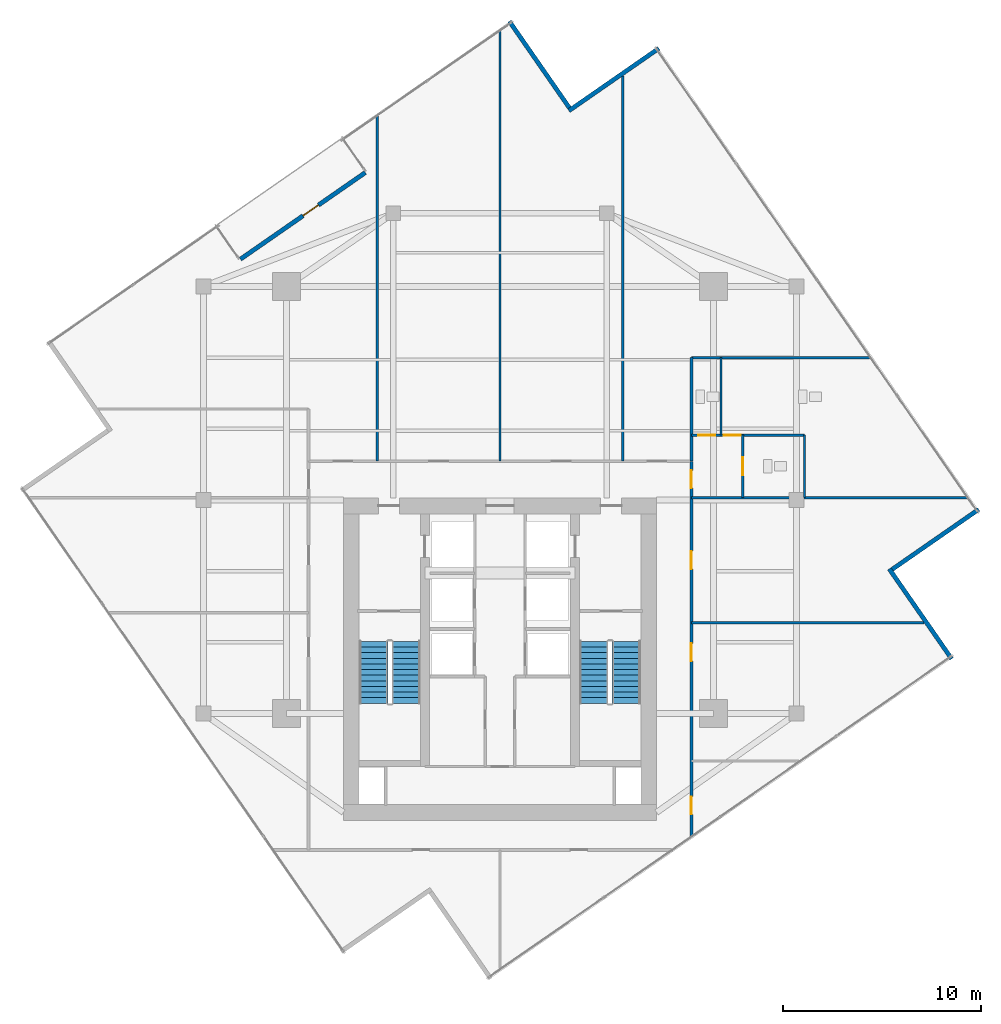
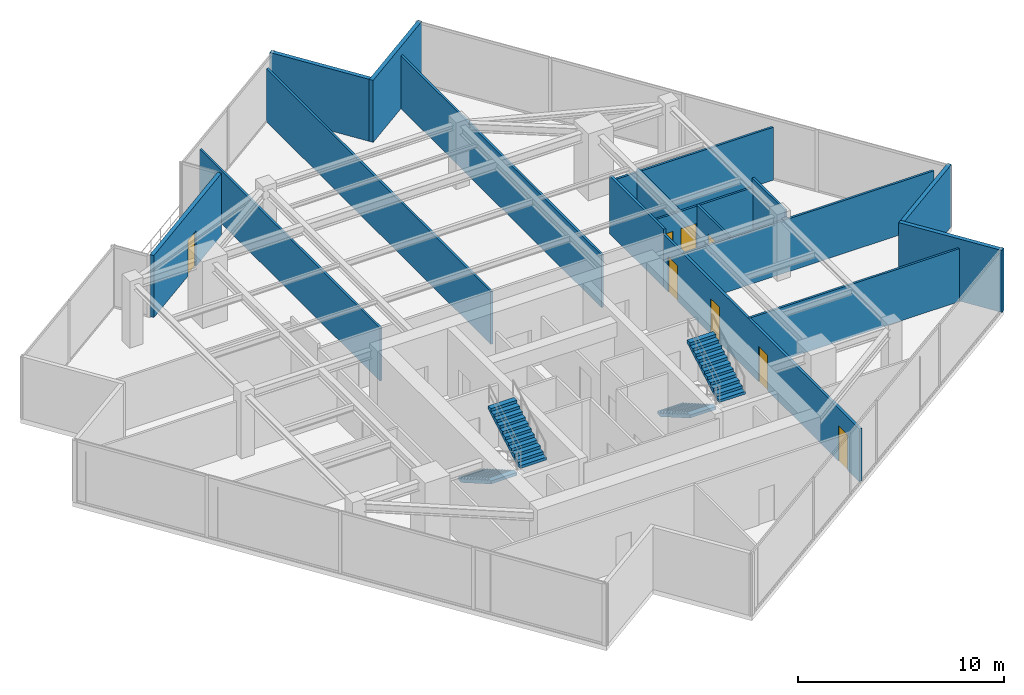
# One storey, part 19 of 21: 17 walls, 8 doors, 4 stair flights, 8 openings, 2 elements without a shape of their own.
"""IFC4 building model written with IfcOpenShell, lengths in metres."""

from ifc_helpers import new_model, si_unit, direction, frame, frame_2d, origin, place, context, subcontext, project, spatial, polyline, rectangle, outline, extrude, material, layer, layer_set, type_object, element, fill, aggregate, save


model = new_model("IFC4")

# Units and contexts
model_context = context("Model", 3, precision=1e-05, world=origin(), true_north=direction((0.0, 1.0)))
body_context = subcontext(model_context, "Body", "Model", "MODEL_VIEW")
ifc_project = project(units=[si_unit("LENGTHUNIT", "METRE"), si_unit("AREAUNIT", "SQUARE_METRE"), si_unit("VOLUMEUNIT", "CUBIC_METRE"), si_unit("PLANEANGLEUNIT", "RADIAN"), si_unit("MASSUNIT", "GRAM", prefix="KILO")], contexts=[model_context])

# Site, building, storey
site_placement = place(None, origin())
site = spatial("IfcSite", under=ifc_project, at=site_placement, CompositionType="ELEMENT")
building_placement = place(site_placement, origin())
building = spatial("IfcBuilding", under=site, at=building_placement, Name="Krantzveldt Concourse Tower", CompositionType="ELEMENT")
storey_placement = place(building_placement, frame((0.0, 0.0, 275.300048828125)))
storey = spatial("IfcBuildingStorey", under=building, at=storey_placement, Name="L67", CompositionType="ELEMENT", Elevation=275.300048828125)

# Wall
ifc_material_1 = material(Name="Anodised aluminium 6063-T6", Category="aluminium")
ifc_layer_1 = layer(ifc_material_1, 0.219970703125, Name="Anodised aluminium 6063-T6", Category="aluminium")
ifc_layer_set_1 = layer_set([ifc_layer_1], Name="Anodised aluminium 6063-T6 (WL-EXT-NOTCH220)")
wall_type_1 = type_object("IfcWallType", Name="WL-EXT-NOTCH220", PredefinedType="ELEMENTEDWALL", material=ifc_layer_set_1)
wall_1_placement = place(storey_placement, frame((39.50830078125, 46.537841796875, 0.0), z_axis=(0.0, 0.0, 1.0), x_axis=(-0.570020283612, 0.821630620334, 0.0)))
element("IfcWall", 1, at=wall_1_placement, inside=storey, type_object=wall_type_1, Name="EW-L67-NCH00", PredefinedType="ELEMENTEDWALL", context=body_context, shape_type="SweptSolid", body=[
    extrude(rectangle(XDim=5.3251953125, YDim=0.219970703125, at=frame_2d((2.66259765625, 0.0))), origin(), (0.0, 0.0, 1.0), 3.669921875),
])

# Wall, opening, door
wall_2_placement = place(storey_placement, frame((22.87158203125, 38.87890625, 0.0), z_axis=(0.0, 0.0, 1.0), x_axis=(0.821640913491, 0.570005446709, 0.0)))
wall_2 = element("IfcWall", 2, at=wall_2_placement, inside=storey, type_object=wall_type_1, Name="EW-L67-TSLOT", PredefinedType="ELEMENTEDWALL", context=body_context, shape_type="SweptSolid", body=[
    extrude(rectangle(XDim=7.68994140625, YDim=0.219970703125, at=frame_2d((3.844970703125, 0.0))), origin(), (0.0, 0.0, 1.0), 3.669921875),
])
opening_1_placement = place(wall_2_placement, frame((3.856689453125, 0.0, 0.0)))
opening_1 = element("IfcOpeningElement", 3, at=opening_1_placement, cuts=wall_2, Name="Opening D-EX95", PredefinedType="OPENING", context=body_context, shape_type="SweptSolid", body=[
    extrude(rectangle(XDim=0.949951171875, YDim=2.10009765625, at=frame_2d((0.47509765625, 1.050048828125))), frame((0.0, 0.1201171875, 0.0), z_axis=(0.0, -1.0, 0.0), x_axis=(1.0, 0.0, 0.0)), (0.0, 0.0, 1.0), 0.239990234375),
])
door_type_1 = type_object("IfcDoorType", Name="DR-EXT-950", OperationType="SINGLE_SWING_LEFT", PredefinedType="DOOR", material=ifc_material_1)
door_1_placement = place(opening_1_placement, origin())
door_1 = element("IfcDoor", 4, at=door_1_placement, inside=storey, type_object=door_type_1, Name="DR-L67-TERR", OperationType="SINGLE_SWING_LEFT", OverallHeight=2.10009765625, OverallWidth=0.949951171875, PredefinedType="DOOR", context=body_context, shape_type="SweptSolid", body=[
    extrude(rectangle(XDim=0.949951171875, YDim=2.10009765625, at=frame_2d((0.47509765625, 1.050048828125))), frame((0.0, 0.02490234375, 0.0), z_axis=(0.0, -1.0, 0.0), x_axis=(1.0, 0.0, 0.0)), (0.0, 0.0, 1.0), 0.050048828125),
])
fill(opening_1, door_1)

# Walls
wall_3_placement = place(storey_placement, frame((58.845458984375, 18.663330078125, 0.0), z_axis=(0.0, 0.0, 1.0), x_axis=(-0.569988141022, 0.821652918874, 0.0)))
element("IfcWall", 5, at=wall_3_placement, inside=storey, type_object=wall_type_1, Name="EW-L67-NCH12", PredefinedType="ELEMENTEDWALL", context=body_context, shape_type="SweptSolid", body=[
    extrude(rectangle(XDim=5.545166015625, YDim=0.219970703125, at=frame_2d((2.7724609375, 0.0))), origin(), (0.0, 0.0, 1.0), 3.669921875),
])
wall_4_placement = place(storey_placement, frame((55.837890625, 23.19189453125, 0.0), z_axis=(0.0, 0.0, 1.0), x_axis=(0.821652092748, 0.569989331903, 0.0)))
element("IfcWall", 6, at=wall_4_placement, inside=storey, type_object=wall_type_1, Name="EW-L67-NCH13", PredefinedType="ELEMENTEDWALL", context=body_context, shape_type="SweptSolid", body=[
    extrude(rectangle(XDim=5.324951171875, YDim=0.219970703125, at=frame_2d((2.66259765625, 0.0))), origin(), (0.0, 0.0, 1.0), 3.669921875),
])
wall_5_placement = place(storey_placement, frame((44.03662109375, 49.54541015625, 0.0), z_axis=(0.0, 0.0, 1.0), x_axis=(-0.821652918874, -0.569988141022, 0.0)))
element("IfcWall", 7, at=wall_5_placement, inside=storey, type_object=wall_type_1, Name="EW-L67-NCH15", PredefinedType="ELEMENTEDWALL", context=body_context, shape_type="SweptSolid", body=[
    extrude(rectangle(XDim=5.545166015625, YDim=0.219970703125, at=frame_2d((2.7724609375, 0.0))), origin(), (0.0, 0.0, 1.0), 3.669921875),
])
ifc_material_2 = material(Name="Fire-rated gypsum plasterboard on steel stud", Category="steel")
ifc_layer_2 = layer(ifc_material_2, 0.1201171875, Name="Fire-rated gypsum plasterboard on steel stud", Category="steel")
ifc_layer_set_2 = layer_set([ifc_layer_2], Name="Fire-rated gypsum plasterboard on steel stud (WL-PART-120)")
wall_type_2 = type_object("IfcWallType", Name="WL-PART-120", PredefinedType="PARTITIONING", material=ifc_layer_set_2)
wall_6_placement = place(storey_placement, frame((45.679931640625, 26.820068359375, 0.0), z_axis=(0.0, 0.0, 1.0), x_axis=(1.0, 0.0, 0.0)))
element("IfcWall", 8, at=wall_6_placement, inside=storey, type_object=wall_type_2, Name="WP-L67-WCBS", PredefinedType="PARTITIONING", context=body_context, shape_type="SweptSolid", body=[
    extrude(rectangle(XDim=13.981689453125, YDim=0.1201171875, at=frame_2d((6.99072265625, 0.0))), origin(), (0.0, 0.0, 1.0), 3.1298828125),
])
wall_7_placement = place(storey_placement, frame((45.679931640625, 33.89990234375, 0.0), z_axis=(0.0, 0.0, 1.0), x_axis=(1.0, 0.0, 0.0)))
element("IfcWall", 9, at=wall_7_placement, inside=storey, type_object=wall_type_2, Name="WP-L67-WCBN", PredefinedType="PARTITIONING", context=body_context, shape_type="SweptSolid", body=[
    extrude(rectangle(XDim=9.0703125, YDim=0.1201171875, at=frame_2d((4.53515625, 0.0))), origin(), (0.0, 0.0, 1.0), 3.1298828125),
])

# Wall, openings, doors
wall_8_placement = place(storey_placement, frame((45.679931640625, 29.97998046875, 0.0), z_axis=(0.0, 0.0, 1.0), x_axis=(1.0, 0.0, 0.0)))
wall_8 = element("IfcWall", 10, at=wall_8_placement, inside=storey, type_object=wall_type_2, Name="WP-L67-WCMH", PredefinedType="PARTITIONING", context=body_context, shape_type="SweptSolid", body=[
    extrude(rectangle(XDim=5.719970703125, YDim=0.1201171875, at=frame_2d((2.85986328125, 0.0))), origin(), (0.0, 0.0, 1.0), 3.1298828125),
])
opening_2_placement = place(wall_8_placement, frame((1.64501953125, 0.0, 0.0)))
opening_2 = element("IfcOpeningElement", 11, at=opening_2_placement, cuts=wall_8, Name="Opening D-IN085", PredefinedType="OPENING", context=body_context, shape_type="SweptSolid", body=[
    extrude(rectangle(XDim=0.85009765625, YDim=2.10009765625, at=frame_2d((0.425048828125, 1.050048828125))), frame((0.0, 0.070068359375, 0.0), z_axis=(0.0, -1.0, 0.0), x_axis=(1.0, 0.0, 0.0)), (0.0, 0.0, 1.0), 0.14013671875),
])
opening_3_placement = place(wall_8_placement, frame((0.344970703125, 0.0, 0.0)))
opening_3 = element("IfcOpeningElement", 12, at=opening_3_placement, cuts=wall_8, Name="Opening D-IN085", PredefinedType="OPENING", context=body_context, shape_type="SweptSolid", body=[
    extrude(rectangle(XDim=0.85009765625, YDim=2.10009765625, at=frame_2d((0.425048828125, 1.050048828125))), frame((0.0, 0.070068359375, 0.0), z_axis=(0.0, -1.0, 0.0), x_axis=(1.0, 0.0, 0.0)), (0.0, 0.0, 1.0), 0.14013671875),
])
ifc_material_3 = material(Name="Hardwood timber", Category="wood")
door_type_2 = type_object("IfcDoorType", Name="DR-INT-850", OperationType="SINGLE_SWING_LEFT", PredefinedType="DOOR", material=ifc_material_3)
door_2_placement = place(opening_2_placement, origin())
door_2 = element("IfcDoor", 13, at=door_2_placement, inside=storey, type_object=door_type_2, Name="DR-L67-WCM", OperationType="SINGLE_SWING_RIGHT", OverallHeight=2.10009765625, OverallWidth=0.85009765625, PredefinedType="DOOR", context=body_context, shape_type="SweptSolid", body=[
    extrude(rectangle(XDim=0.85009765625, YDim=2.10009765625, at=frame_2d((0.425048828125, 1.050048828125))), frame((0.0, 0.02490234375, 0.0), z_axis=(0.0, -1.0, 0.0), x_axis=(1.0, 0.0, 0.0)), (0.0, 0.0, 1.0), 0.050048828125),
])
fill(opening_2, door_2)
door_3_placement = place(opening_3_placement, origin())
door_3 = element("IfcDoor", 14, at=door_3_placement, inside=storey, type_object=door_type_2, Name="DR-L67-WCF", OperationType="SINGLE_SWING_LEFT", OverallHeight=2.10009765625, OverallWidth=0.85009765625, PredefinedType="DOOR", context=body_context, shape_type="SweptSolid", body=[
    extrude(rectangle(XDim=0.85009765625, YDim=2.10009765625, at=frame_2d((0.425048828125, 1.050048828125))), frame((0.0, 0.02490234375, 0.0), z_axis=(0.0, -1.0, 0.0), x_axis=(1.0, 0.0, 0.0)), (0.0, 0.0, 1.0), 0.050048828125),
])
fill(opening_3, door_3)

# Wall
wall_9_placement = place(storey_placement, frame((51.39990234375, 26.820068359375, 0.0), z_axis=(0.0, 0.0, 1.0), x_axis=(0.0, 1.0, 0.0)))
element("IfcWall", 15, at=wall_9_placement, inside=storey, type_object=wall_type_2, Name="WP-L67-WCAR", PredefinedType="PARTITIONING", context=body_context, shape_type="SweptSolid", body=[
    extrude(rectangle(XDim=3.159912109375, YDim=0.1201171875, at=frame_2d((1.580078125, 0.0))), origin(), (0.0, 0.0, 1.0), 3.669921875),
])

# Wall, opening, door
wall_10_placement = place(storey_placement, frame((48.280029296875, 26.820068359375, 0.0), z_axis=(0.0, 0.0, 1.0), x_axis=(0.0, 1.0, 0.0)))
wall_10 = element("IfcWall", 16, at=wall_10_placement, inside=storey, type_object=wall_type_2, Name="WP-L67-WCAV", PredefinedType="PARTITIONING", context=body_context, shape_type="SweptSolid", body=[
    extrude(rectangle(XDim=3.159912109375, YDim=0.1201171875, at=frame_2d((1.580078125, 0.0))), origin(), (0.0, 0.0, 1.0), 3.179931640625),
])
opening_4_placement = place(wall_10_placement, frame((1.1298828125, 0.0, 0.0)))
opening_4 = element("IfcOpeningElement", 17, at=opening_4_placement, cuts=wall_10, Name="Opening D-IN090", PredefinedType="OPENING", context=body_context, shape_type="SweptSolid", body=[
    extrude(rectangle(XDim=0.89990234375, YDim=2.10009765625, at=frame_2d((0.449951171875, 1.050048828125))), frame((0.0, 0.070068359375, 0.0), z_axis=(0.0, -1.0, 0.0), x_axis=(1.0, 0.0, 0.0)), (0.0, 0.0, 1.0), 0.14013671875),
])
door_type_3 = type_object("IfcDoorType", Name="DR-INT-900", OperationType="SINGLE_SWING_LEFT", PredefinedType="DOOR", material=ifc_material_3)
door_4_placement = place(opening_4_placement, origin())
door_4 = element("IfcDoor", 18, at=door_4_placement, inside=storey, type_object=door_type_3, Name="DR-L67-WCA", OperationType="SINGLE_SWING_RIGHT", OverallHeight=2.10009765625, OverallWidth=0.89990234375, PredefinedType="DOOR", context=body_context, shape_type="SweptSolid", body=[
    extrude(rectangle(XDim=0.89990234375, YDim=2.10009765625, at=frame_2d((0.449951171875, 1.050048828125))), frame((0.0, 0.02490234375, 0.0), z_axis=(0.0, -1.0, 0.0), x_axis=(1.0, 0.0, 0.0)), (0.0, 0.0, 1.0), 0.050048828125),
])
fill(opening_4, door_4)

# Walls
wall_11_placement = place(storey_placement, frame((47.179931640625, 29.97998046875, 0.0), z_axis=(0.0, 0.0, 1.0), x_axis=(0.0, 1.0, 0.0)))
element("IfcWall", 19, at=wall_11_placement, inside=storey, type_object=wall_type_2, Name="WP-L67-WCFD", PredefinedType="PARTITIONING", context=body_context, shape_type="SweptSolid", body=[
    extrude(rectangle(XDim=3.919921875, YDim=0.1201171875, at=frame_2d((1.9599609375, 0.0))), origin(), (0.0, 0.0, 1.0), 3.31005859375),
])
wall_12_placement = place(storey_placement, frame((29.800048828125, 28.659912109375, 0.0), z_axis=(0.0, 0.0, 1.0), x_axis=(0.0, 1.0, 0.0)))
element("IfcWall", 20, at=wall_12_placement, inside=storey, type_object=wall_type_2, Name="WP-L67-ND1", PredefinedType="PARTITIONING", context=body_context, shape_type="SweptSolid", body=[
    extrude(rectangle(XDim=17.48388671875, YDim=0.1201171875, at=frame_2d((8.741943359375, 0.0))), origin(), (0.0, 0.0, 1.0), 3.1298828125),
])
wall_13_placement = place(storey_placement, frame((36.0, 28.659912109375, 0.0), z_axis=(0.0, 0.0, 1.0), x_axis=(0.0, 1.0, 0.0)))
element("IfcWall", 21, at=wall_13_placement, inside=storey, type_object=wall_type_2, Name="WP-L67-ND2", PredefinedType="PARTITIONING", context=body_context, shape_type="SweptSolid", body=[
    extrude(rectangle(XDim=21.78515625, YDim=0.1201171875, at=frame_2d((10.892578125, 0.0))), origin(), (0.0, 0.0, 1.0), 3.1298828125),
])
wall_14_placement = place(storey_placement, frame((42.199951171875, 28.659912109375, 0.0), z_axis=(0.0, 0.0, 1.0), x_axis=(0.0, 1.0, 0.0)))
element("IfcWall", 22, at=wall_14_placement, inside=storey, type_object=wall_type_2, Name="WP-L67-ND3", PredefinedType="PARTITIONING", context=body_context, shape_type="SweptSolid", body=[
    extrude(rectangle(XDim=19.471435546875, YDim=0.1201171875, at=frame_2d((9.73583984375, 0.0))), origin(), (0.0, 0.0, 1.0), 3.1298828125),
])
wall_15_placement = place(storey_placement, frame((45.679931640625, 20.5, 0.0), z_axis=(0.0, 0.0, 1.0), x_axis=(1.0, 0.0, 0.0)))
element("IfcWall", 23, at=wall_15_placement, inside=storey, type_object=wall_type_2, Name="WP-L67-ED2", PredefinedType="PARTITIONING", context=body_context, shape_type="SweptSolid", body=[
    extrude(rectangle(XDim=11.75146484375, YDim=0.1201171875, at=frame_2d((5.875732421875, 0.0))), origin(), (0.0, 0.0, 1.0), 3.1298828125),
])

# Wall, openings, doors
ifc_layer_3 = layer(ifc_material_2, 0.139892578125, Name="Fire-rated gypsum plasterboard on steel stud", Category="steel")
ifc_layer_set_3 = layer_set([ifc_layer_3], Name="Fire-rated gypsum plasterboard on steel stud (WL-PART-140)")
wall_type_3 = type_object("IfcWallType", Name="WL-PART-140", PredefinedType="PARTITIONING", material=ifc_layer_set_3)
wall_16_placement = place(storey_placement, frame((45.679931640625, 9.67041015625, 0.0), z_axis=(0.0, 0.0, 1.0), x_axis=(0.0, 1.0, 0.0)))
wall_16 = element("IfcWall", 24, at=wall_16_placement, inside=storey, type_object=wall_type_3, Name="WP-L67-CEAST", PredefinedType="PARTITIONING", context=body_context, shape_type="SweptSolid", body=[
    extrude(rectangle(XDim=18.989501953125, YDim=0.139892578125, at=frame_2d((9.49462890625, 0.0))), origin(), (0.0, 0.0, 1.0), 3.1298828125),
])
opening_5_placement = place(wall_16_placement, frame((17.629638671875, 0.0, 0.0)))
opening_5 = element("IfcOpeningElement", 25, at=opening_5_placement, cuts=wall_16, Name="Opening D-IN090", PredefinedType="OPENING", context=body_context, shape_type="SweptSolid", body=[
    extrude(rectangle(XDim=0.89990234375, YDim=2.10009765625, at=frame_2d((0.449951171875, 1.050048828125))), frame((0.0, 0.080078125, 0.0), z_axis=(0.0, -1.0, 0.0), x_axis=(1.0, 0.0, 0.0)), (0.0, 0.0, 1.0), 0.159912109375),
])
opening_6_placement = place(wall_16_placement, frame((1.129638671875, 0.0, 0.0)))
opening_6 = element("IfcOpeningElement", 26, at=opening_6_placement, cuts=wall_16, Name="Opening D-IN090", PredefinedType="OPENING", context=body_context, shape_type="SweptSolid", body=[
    extrude(rectangle(XDim=0.89990234375, YDim=2.10009765625, at=frame_2d((0.449951171875, 1.050048828125))), frame((0.0, 0.080078125, 0.0), z_axis=(0.0, -1.0, 0.0), x_axis=(1.0, 0.0, 0.0)), (0.0, 0.0, 1.0), 0.159912109375),
])
opening_7_placement = place(wall_16_placement, frame((8.879638671875, 0.0, 0.0)))
opening_7 = element("IfcOpeningElement", 27, at=opening_7_placement, cuts=wall_16, Name="Opening D-IN090", PredefinedType="OPENING", context=body_context, shape_type="SweptSolid", body=[
    extrude(rectangle(XDim=0.89990234375, YDim=2.10009765625, at=frame_2d((0.449951171875, 1.050048828125))), frame((0.0, 0.080078125, 0.0), z_axis=(0.0, -1.0, 0.0), x_axis=(1.0, 0.0, 0.0)), (0.0, 0.0, 1.0), 0.159912109375),
])
opening_8_placement = place(wall_16_placement, frame((13.539794921875, 0.0, 0.0)))
opening_8 = element("IfcOpeningElement", 28, at=opening_8_placement, cuts=wall_16, Name="Opening D-IN090", PredefinedType="OPENING", context=body_context, shape_type="SweptSolid", body=[
    extrude(rectangle(XDim=0.89990234375, YDim=2.10009765625, at=frame_2d((0.449951171875, 1.050048828125))), frame((0.0, 0.080078125, 0.0), z_axis=(0.0, -1.0, 0.0), x_axis=(1.0, 0.0, 0.0)), (0.0, 0.0, 1.0), 0.159912109375),
])
door_5_placement = place(opening_5_placement, origin())
door_5 = element("IfcDoor", 29, at=door_5_placement, inside=storey, type_object=door_type_3, Name="DR-L67-WCV", OperationType="SINGLE_SWING_RIGHT", OverallHeight=2.10009765625, OverallWidth=0.89990234375, PredefinedType="DOOR", context=body_context, shape_type="SweptSolid", body=[
    extrude(rectangle(XDim=0.89990234375, YDim=2.10009765625, at=frame_2d((0.449951171875, 1.050048828125))), frame((0.0, 0.02490234375, 0.0), z_axis=(0.0, -1.0, 0.0), x_axis=(1.0, 0.0, 0.0)), (0.0, 0.0, 1.0), 0.050048828125),
])
fill(opening_5, door_5)
door_6_placement = place(opening_6_placement, origin())
door_6 = element("IfcDoor", 30, at=door_6_placement, inside=storey, type_object=door_type_3, Name="DR-L67-ER1", OperationType="SINGLE_SWING_LEFT", OverallHeight=2.10009765625, OverallWidth=0.89990234375, PredefinedType="DOOR", context=body_context, shape_type="SweptSolid", body=[
    extrude(rectangle(XDim=0.89990234375, YDim=2.10009765625, at=frame_2d((0.449951171875, 1.050048828125))), frame((0.0, 0.02490234375, 0.0), z_axis=(0.0, -1.0, 0.0), x_axis=(1.0, 0.0, 0.0)), (0.0, 0.0, 1.0), 0.050048828125),
])
fill(opening_6, door_6)
door_7_placement = place(opening_7_placement, origin())
door_7 = element("IfcDoor", 31, at=door_7_placement, inside=storey, type_object=door_type_3, Name="DR-L67-ER2", OperationType="SINGLE_SWING_LEFT", OverallHeight=2.10009765625, OverallWidth=0.89990234375, PredefinedType="DOOR", context=body_context, shape_type="SweptSolid", body=[
    extrude(rectangle(XDim=0.89990234375, YDim=2.10009765625, at=frame_2d((0.449951171875, 1.050048828125))), frame((0.0, 0.02490234375, 0.0), z_axis=(0.0, -1.0, 0.0), x_axis=(1.0, 0.0, 0.0)), (0.0, 0.0, 1.0), 0.050048828125),
])
fill(opening_7, door_7)
door_8_placement = place(opening_8_placement, origin())
door_8 = element("IfcDoor", 32, at=door_8_placement, inside=storey, type_object=door_type_3, Name="DR-L67-ER3", OperationType="SINGLE_SWING_LEFT", OverallHeight=2.10009765625, OverallWidth=0.89990234375, PredefinedType="DOOR", context=body_context, shape_type="SweptSolid", body=[
    extrude(rectangle(XDim=0.89990234375, YDim=2.10009765625, at=frame_2d((0.449951171875, 1.050048828125))), frame((0.0, 0.02490234375, 0.0), z_axis=(0.0, -1.0, 0.0), x_axis=(1.0, 0.0, 0.0)), (0.0, 0.0, 1.0), 0.050048828125),
])
fill(opening_8, door_8)

# Wall
wall_17_placement = place(storey_placement, frame((45.679931640625, 28.659912109375, 0.0), z_axis=(0.0, 0.0, 1.0), x_axis=(0.0, 1.0, 0.0)))
element("IfcWall", 33, at=wall_17_placement, inside=storey, type_object=wall_type_3, Name="WP-L67-NER", PredefinedType="PARTITIONING", context=body_context, shape_type="SweptSolid", body=[
    extrude(rectangle(XDim=5.239990234375, YDim=0.139892578125, at=frame_2d((2.6201171875, 0.0))), origin(), (0.0, 0.0, 1.0), 3.429931640625),
])

# Stair, stair flights
ifc_material_4 = material(Name="Precast concrete C40/50", Category="concrete")
stair_type = type_object("IfcStairType", Name="STR-CORE-DOGLEG", PredefinedType="HALF_TURN_STAIR", material=ifc_material_4)
stair_1_placement = place(storey_placement, origin())
stair_1 = element("IfcStair", 34, at=stair_1_placement, inside=storey, type_object=stair_type, Name="L67 Protected Escape Stair ST-1", PredefinedType="HALF_TURN_STAIR")
stair_flight_type = type_object("IfcStairFlightType", Name="STF-CORE-1450", PredefinedType="STRAIGHT", material=ifc_material_4)
stair_flight_1_placement = place(storey_placement, frame((29.60498046875, 19.550048828125, 0.0), z_axis=(0.0, 0.0, 1.0), x_axis=(0.0, -1.0, 0.0)))
stair_flight_1 = element("IfcStairFlight", 35, at=stair_flight_1_placement, type_object=stair_flight_type, Name="ST-1 flight 1", NumberOfRisers=12, NumberOfTreads=11, PredefinedType="STRAIGHT", RiserHeight=0.164583333, TreadLength=0.285, context=body_context, shape_type="SweptSolid", body=[
    extrude(outline(polyline([(0.0, 0.0), (0.0, 0.16455078125), (0.284912109375, 0.16455078125), (0.284912109375, 0.3291015625), (0.570068359375, 0.3291015625), (0.570068359375, 0.49365234375), (0.85498046875, 0.49365234375), (0.85498046875, 0.658447265625), (1.139892578125, 0.658447265625), (1.139892578125, 0.822998046875), (1.425048828125, 0.822998046875), (1.425048828125, 0.987548828125), (1.7099609375, 0.987548828125), (1.7099609375, 1.152099609375), (1.9951171875, 1.152099609375), (1.9951171875, 1.316650390625), (2.280029296875, 1.316650390625), (2.280029296875, 1.481201171875), (2.56494140625, 1.481201171875), (2.56494140625, 1.645751953125), (2.85009765625, 1.645751953125), (2.85009765625, 1.810302734375), (3.135009765625, 1.810302734375), (3.135009765625, 1.97509765625), (3.135009765625, 1.63720703125), (0.2998046875, 0.0), (0.0, 0.0)])), frame((0.0, 0.72509765625, 0.0), z_axis=(0.0, -1.0, 0.0), x_axis=(1.0, 0.0, 0.0)), (0.0, 0.0, 1.0), 1.449951171875),
])
stair_flight_2_placement = place(storey_placement, frame((31.2548828125, 16.4150390625, 1.974853515625), z_axis=(0.0, 0.0, 1.0), x_axis=(0.0, 1.0, 0.0)))
stair_flight_2 = element("IfcStairFlight", 36, at=stair_flight_2_placement, type_object=stair_flight_type, Name="ST-1 flight 2", NumberOfRisers=12, NumberOfTreads=11, PredefinedType="STRAIGHT", RiserHeight=0.164583333, TreadLength=0.285, context=body_context, shape_type="SweptSolid", body=[
    extrude(outline(polyline([(0.0, 0.0), (0.0, 0.16455078125), (0.284912109375, 0.16455078125), (0.284912109375, 0.3291015625), (0.570068359375, 0.3291015625), (0.570068359375, 0.49365234375), (0.85498046875, 0.49365234375), (0.85498046875, 0.658447265625), (1.139892578125, 0.658447265625), (1.139892578125, 0.822998046875), (1.425048828125, 0.822998046875), (1.425048828125, 0.987548828125), (1.7099609375, 0.987548828125), (1.7099609375, 1.152099609375), (1.9951171875, 1.152099609375), (1.9951171875, 1.316650390625), (2.280029296875, 1.316650390625), (2.280029296875, 1.481201171875), (2.56494140625, 1.481201171875), (2.56494140625, 1.645751953125), (2.85009765625, 1.645751953125), (2.85009765625, 1.810302734375), (3.135009765625, 1.810302734375), (3.135009765625, 1.97509765625), (3.135009765625, 1.63720703125), (0.2998046875, 0.0), (0.0, 0.0)])), frame((0.0, 0.72509765625, 0.0), z_axis=(0.0, -1.0, 0.0), x_axis=(1.0, 0.0, 0.0)), (0.0, 0.0, 1.0), 1.449951171875),
])
aggregate(stair_1, [stair_flight_1, stair_flight_2])

stair_2_placement = place(storey_placement, origin())
stair_2 = element("IfcStair", 37, at=stair_2_placement, inside=storey, type_object=stair_type, Name="L67 Protected Escape Stair ST-2", PredefinedType="HALF_TURN_STAIR")
stair_flight_3_placement = place(storey_placement, frame((40.7451171875, 19.550048828125, 0.0), z_axis=(0.0, 0.0, 1.0), x_axis=(0.0, -1.0, 0.0)))
stair_flight_3 = element("IfcStairFlight", 38, at=stair_flight_3_placement, type_object=stair_flight_type, Name="ST-2 flight 1", NumberOfRisers=12, NumberOfTreads=11, PredefinedType="STRAIGHT", RiserHeight=0.164583333, TreadLength=0.285, context=body_context, shape_type="SweptSolid", body=[
    extrude(outline(polyline([(0.0, 0.0), (0.0, 0.16455078125), (0.284912109375, 0.16455078125), (0.284912109375, 0.3291015625), (0.570068359375, 0.3291015625), (0.570068359375, 0.49365234375), (0.85498046875, 0.49365234375), (0.85498046875, 0.658447265625), (1.139892578125, 0.658447265625), (1.139892578125, 0.822998046875), (1.425048828125, 0.822998046875), (1.425048828125, 0.987548828125), (1.7099609375, 0.987548828125), (1.7099609375, 1.152099609375), (1.9951171875, 1.152099609375), (1.9951171875, 1.316650390625), (2.280029296875, 1.316650390625), (2.280029296875, 1.481201171875), (2.56494140625, 1.481201171875), (2.56494140625, 1.645751953125), (2.85009765625, 1.645751953125), (2.85009765625, 1.810302734375), (3.135009765625, 1.810302734375), (3.135009765625, 1.97509765625), (3.135009765625, 1.63720703125), (0.2998046875, 0.0), (0.0, 0.0)])), frame((0.0, 0.72509765625, 0.0), z_axis=(0.0, -1.0, 0.0), x_axis=(1.0, 0.0, 0.0)), (0.0, 0.0, 1.0), 1.449951171875),
])
stair_flight_4_placement = place(storey_placement, frame((42.39501953125, 16.4150390625, 1.974853515625), z_axis=(0.0, 0.0, 1.0), x_axis=(0.0, 1.0, 0.0)))
stair_flight_4 = element("IfcStairFlight", 39, at=stair_flight_4_placement, type_object=stair_flight_type, Name="ST-2 flight 2", NumberOfRisers=12, NumberOfTreads=11, PredefinedType="STRAIGHT", RiserHeight=0.164583333, TreadLength=0.285, context=body_context, shape_type="SweptSolid", body=[
    extrude(outline(polyline([(0.0, 0.0), (0.0, 0.16455078125), (0.284912109375, 0.16455078125), (0.284912109375, 0.3291015625), (0.570068359375, 0.3291015625), (0.570068359375, 0.49365234375), (0.85498046875, 0.49365234375), (0.85498046875, 0.658447265625), (1.139892578125, 0.658447265625), (1.139892578125, 0.822998046875), (1.425048828125, 0.822998046875), (1.425048828125, 0.987548828125), (1.7099609375, 0.987548828125), (1.7099609375, 1.152099609375), (1.9951171875, 1.152099609375), (1.9951171875, 1.316650390625), (2.280029296875, 1.316650390625), (2.280029296875, 1.481201171875), (2.56494140625, 1.481201171875), (2.56494140625, 1.645751953125), (2.85009765625, 1.645751953125), (2.85009765625, 1.810302734375), (3.135009765625, 1.810302734375), (3.135009765625, 1.97509765625), (3.135009765625, 1.63720703125), (0.2998046875, 0.0), (0.0, 0.0)])), frame((0.0, 0.72509765625, 0.0), z_axis=(0.0, -1.0, 0.0), x_axis=(1.0, 0.0, 0.0)), (0.0, 0.0, 1.0), 1.449951171875),
])
aggregate(stair_2, [stair_flight_3, stair_flight_4])

save(model, "model.ifc")
